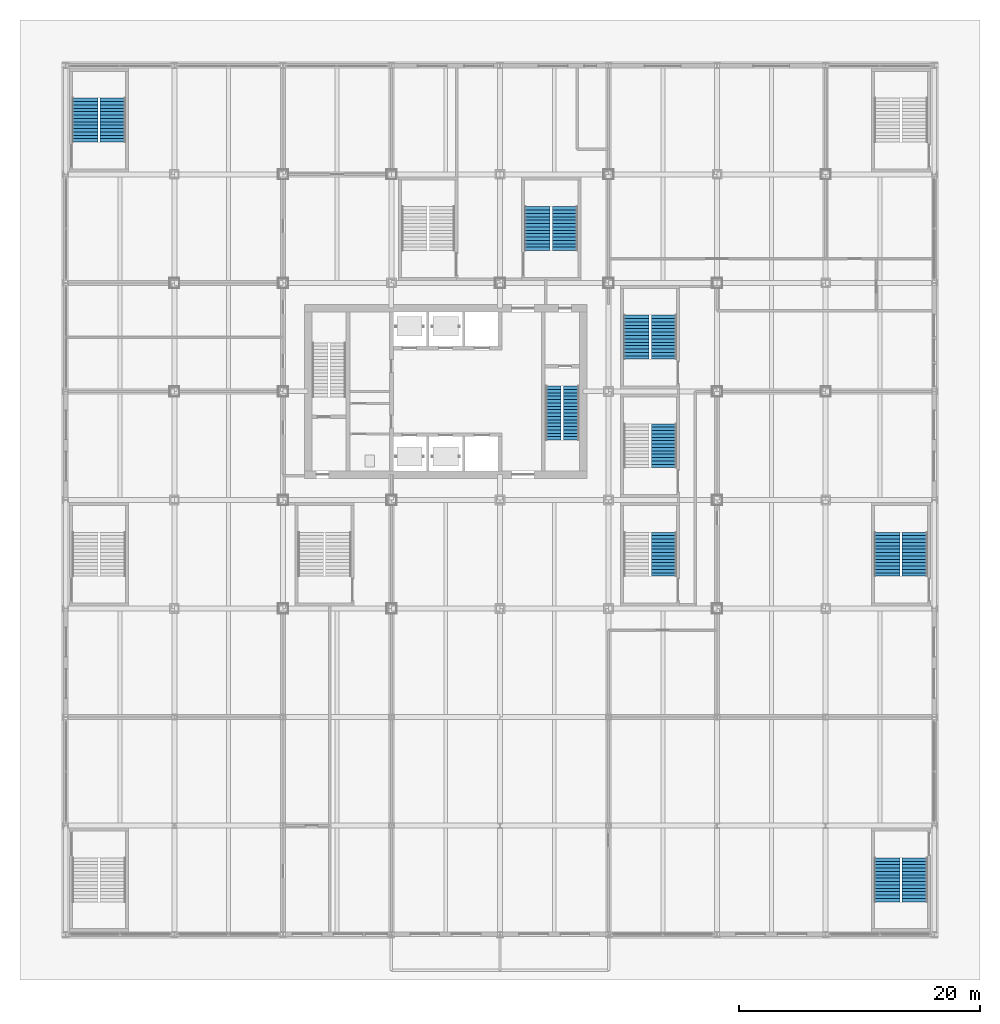
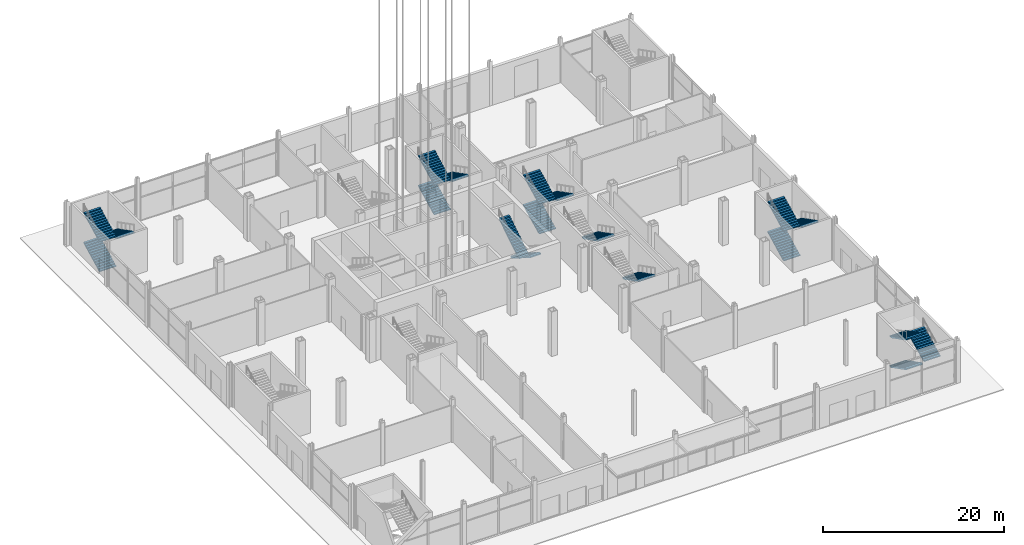
# One storey, part 24 of 34: 19 stair flights, 8 elements without a shape of their own.
"""IFC4 building model written with IfcOpenShell, lengths in metres."""

from ifc_helpers import new_model, si_unit, direction, frame, origin, place, context, subcontext, project, spatial, polyline, outline, extrude, material, type_object, element, aggregate, save


model = new_model("IFC4")

# Units and contexts
model_context = context("Model", 3, precision=1e-05, world=origin(), true_north=direction((0.0, 1.0)))
body_context = subcontext(model_context, "Body", "Model", "MODEL_VIEW")
ifc_project = project(units=[si_unit("LENGTHUNIT", "METRE"), si_unit("AREAUNIT", "SQUARE_METRE"), si_unit("VOLUMEUNIT", "CUBIC_METRE"), si_unit("PLANEANGLEUNIT", "RADIAN"), si_unit("MASSUNIT", "GRAM", prefix="KILO")], contexts=[model_context])

# Site, building, storey
site_placement = place(None, origin())
site = spatial("IfcSite", under=ifc_project, at=site_placement, CompositionType="ELEMENT")
building_placement = place(site_placement, origin())
building = spatial("IfcBuilding", under=site, at=building_placement, Name="Loomwork Tower", CompositionType="ELEMENT")
storey_placement = place(building_placement, origin())
storey = spatial("IfcBuildingStorey", under=building, at=storey_placement, Name="L00", CompositionType="ELEMENT", Elevation=0.0)

# Stair, stair flights
ifc_material_1 = material(Name="Concrete 5000 psi (34 MPa) precast stair", Category="concrete")
stair_type_1 = type_object("IfcStairType", Name="Stair ST-B 34 risers 2850 wide", PredefinedType="HALF_TURN_STAIR", material=ifc_material_1)
stair_1_placement = place(storey_placement, origin())
stair_1 = element("IfcStair", 1, at=stair_1_placement, inside=storey, type_object=stair_type_1, Name="Stair B L00", PredefinedType="HALF_TURN_STAIR")
ifc_material_2 = material(Name="Concrete 5000 psi (34 MPa) precast stair", Category="concrete")
stair_flight_type_1 = type_object("IfcStairFlightType", Name="Stair flight ST-B 17 risers 1300 wide", PredefinedType="STRAIGHT", material=ifc_material_2)
stair_flight_1_placement = place(storey_placement, frame((32.925048828125, 18.449951171875, 0.0), z_axis=(0.0, 0.0, 1.0), x_axis=(0.0, -1.0, 0.0)))
stair_flight_1 = element("IfcStairFlight", 2, at=stair_flight_1_placement, type_object=stair_flight_type_1, Name="ST-B flight 1", NumberOfRisers=17, NumberOfTreads=16, PredefinedType="STRAIGHT", RiserHeight=0.176470588, TreadLength=0.28, context=body_context, shape_type="SweptSolid", body=[
    extrude(outline(polyline([(0.0, 0.0), (0.0, 0.176513671875), (0.280029296875, 0.176513671875), (0.280029296875, 0.35302734375), (0.56005859375, 0.35302734375), (0.56005859375, 0.529296875), (0.840087890625, 0.529296875), (0.840087890625, 0.705810546875), (1.1201171875, 0.705810546875), (1.1201171875, 0.88232421875), (1.39990234375, 0.88232421875), (1.39990234375, 1.058837890625), (1.679931640625, 1.058837890625), (1.679931640625, 1.2353515625), (1.9599609375, 1.2353515625), (1.9599609375, 1.411865234375), (2.239990234375, 1.411865234375), (2.239990234375, 1.588134765625), (2.52001953125, 1.588134765625), (2.52001953125, 1.7646484375), (2.800048828125, 1.7646484375), (2.800048828125, 1.941162109375), (3.080078125, 1.941162109375), (3.080078125, 2.11767578125), (3.360107421875, 2.11767578125), (3.360107421875, 2.294189453125), (3.639892578125, 2.294189453125), (3.639892578125, 2.470703125), (3.919921875, 2.470703125), (3.919921875, 2.64697265625), (4.199951171875, 2.64697265625), (4.199951171875, 2.823486328125), (4.47998046875, 2.823486328125), (4.47998046875, 3.0), (4.47998046875, 2.646240234375), (0.28125, 0.0), (0.0, 0.0)])), frame((0.0, 0.64990234375, 0.0), z_axis=(0.0, -1.0, 0.0), x_axis=(1.0, 0.0, 0.0)), (0.0, 0.0, 1.0), 1.300048828125),
])
stair_flight_2_placement = place(storey_placement, frame((31.425048828125, 13.969970703125, 3.0), z_axis=(0.0, 0.0, 1.0), x_axis=(0.0, 1.0, 0.0)))
stair_flight_2 = element("IfcStairFlight", 3, at=stair_flight_2_placement, type_object=stair_flight_type_1, Name="ST-B flight 2", NumberOfRisers=17, NumberOfTreads=16, PredefinedType="STRAIGHT", RiserHeight=0.176470588, TreadLength=0.28, context=body_context, shape_type="SweptSolid", body=[
    extrude(outline(polyline([(0.0, 0.0), (0.0, 0.176513671875), (0.280029296875, 0.176513671875), (0.280029296875, 0.35302734375), (0.56005859375, 0.35302734375), (0.56005859375, 0.529296875), (0.840087890625, 0.529296875), (0.840087890625, 0.705810546875), (1.1201171875, 0.705810546875), (1.1201171875, 0.88232421875), (1.39990234375, 0.88232421875), (1.39990234375, 1.058837890625), (1.679931640625, 1.058837890625), (1.679931640625, 1.2353515625), (1.9599609375, 1.2353515625), (1.9599609375, 1.411865234375), (2.239990234375, 1.411865234375), (2.239990234375, 1.588134765625), (2.52001953125, 1.588134765625), (2.52001953125, 1.7646484375), (2.800048828125, 1.7646484375), (2.800048828125, 1.941162109375), (3.080078125, 1.941162109375), (3.080078125, 2.11767578125), (3.360107421875, 2.11767578125), (3.360107421875, 2.294189453125), (3.639892578125, 2.294189453125), (3.639892578125, 2.470703125), (3.919921875, 2.470703125), (3.919921875, 2.64697265625), (4.199951171875, 2.64697265625), (4.199951171875, 2.823486328125), (4.47998046875, 2.823486328125), (4.47998046875, 3.0), (4.47998046875, 2.646240234375), (0.28125, 0.0), (0.0, 0.0)])), frame((0.0, 0.64990234375, 0.0), z_axis=(0.0, -1.0, 0.0), x_axis=(1.0, 0.0, 0.0)), (0.0, 0.0, 1.0), 1.300048828125),
])
aggregate(stair_1, [stair_flight_1, stair_flight_2])

ifc_material_3 = material(Name="Concrete 5000 psi (34 MPa) precast stair", Category="concrete")
stair_type_2 = type_object("IfcStairType", Name="Stair ST-S11P 42 risers of 143 4400 wide", PredefinedType="HALF_TURN_STAIR", material=ifc_material_3)
stair_2_placement = place(storey_placement, origin())
stair_2 = element("IfcStair", 4, at=stair_2_placement, inside=storey, type_object=stair_type_2, Name="Podium stair PS11 L00", PredefinedType="HALF_TURN_STAIR")
ifc_material_4 = material(Name="Concrete 5000 psi (34 MPa) precast stair", Category="concrete")
stair_flight_type_2 = type_object("IfcStairFlightType", Name="Stair flight ST-S11P 14 risers of 143 2100 wide", PredefinedType="STRAIGHT", material=ifc_material_4)
stair_flight_3_placement = place(storey_placement, frame((30.10009765625, 29.679931640625, 0.0), z_axis=(0.0, 0.0, 1.0), x_axis=(0.0, 1.0, 0.0)))
stair_flight_3 = element("IfcStairFlight", 5, at=stair_flight_3_placement, type_object=stair_flight_type_2, Name="ST-S11P flight 1", NumberOfRisers=14, NumberOfTreads=13, PredefinedType="STRAIGHT", RiserHeight=0.142857143, TreadLength=0.28, context=body_context, shape_type="SweptSolid", body=[
    extrude(outline(polyline([(0.0, 0.0), (0.0, 0.142822265625), (0.280029296875, 0.142822265625), (0.280029296875, 0.28564453125), (0.56005859375, 0.28564453125), (0.56005859375, 0.428466796875), (0.840087890625, 0.428466796875), (0.840087890625, 0.571533203125), (1.1201171875, 0.571533203125), (1.1201171875, 0.71435546875), (1.39990234375, 0.71435546875), (1.39990234375, 0.857177734375), (1.679931640625, 0.857177734375), (1.679931640625, 1.0), (1.9599609375, 1.0), (1.9599609375, 1.142822265625), (2.239990234375, 1.142822265625), (2.239990234375, 1.28564453125), (2.52001953125, 1.28564453125), (2.52001953125, 1.428466796875), (2.800048828125, 1.428466796875), (2.800048828125, 1.571533203125), (3.080078125, 1.571533203125), (3.080078125, 1.71435546875), (3.360107421875, 1.71435546875), (3.360107421875, 1.857177734375), (3.639892578125, 1.857177734375), (3.639892578125, 2.0), (3.639892578125, 1.68896484375), (0.329833984375, 0.0), (0.0, 0.0)])), frame((0.0, 1.050048828125, 0.0), z_axis=(0.0, -1.0, 0.0), x_axis=(1.0, 0.0, 0.0)), (0.0, 0.0, 1.0), 2.10009765625),
])
stair_flight_4_placement = place(storey_placement, frame((32.39990234375, 33.320068359375, 2.0), z_axis=(0.0, 0.0, 1.0), x_axis=(0.0, -1.0, 0.0)))
stair_flight_4 = element("IfcStairFlight", 6, at=stair_flight_4_placement, type_object=stair_flight_type_2, Name="ST-S11P flight 2", NumberOfRisers=14, NumberOfTreads=13, PredefinedType="STRAIGHT", RiserHeight=0.142857143, TreadLength=0.28, context=body_context, shape_type="SweptSolid", body=[
    extrude(outline(polyline([(0.0, 0.0), (0.0, 0.142822265625), (0.280029296875, 0.142822265625), (0.280029296875, 0.28564453125), (0.56005859375, 0.28564453125), (0.56005859375, 0.428466796875), (0.840087890625, 0.428466796875), (0.840087890625, 0.571533203125), (1.1201171875, 0.571533203125), (1.1201171875, 0.71435546875), (1.39990234375, 0.71435546875), (1.39990234375, 0.857177734375), (1.679931640625, 0.857177734375), (1.679931640625, 1.0), (1.9599609375, 1.0), (1.9599609375, 1.142822265625), (2.239990234375, 1.142822265625), (2.239990234375, 1.28564453125), (2.52001953125, 1.28564453125), (2.52001953125, 1.428466796875), (2.800048828125, 1.428466796875), (2.800048828125, 1.571533203125), (3.080078125, 1.571533203125), (3.080078125, 1.71435546875), (3.360107421875, 1.71435546875), (3.360107421875, 1.857177734375), (3.639892578125, 1.857177734375), (3.639892578125, 2.0), (3.639892578125, 1.68896484375), (0.329833984375, 0.0), (0.0, 0.0)])), frame((0.0, 1.050048828125, 0.0), z_axis=(0.0, -1.0, 0.0), x_axis=(1.0, 0.0, 0.0)), (0.0, 0.0, 1.0), 2.10009765625),
])
stair_flight_5_placement = place(storey_placement, frame((30.10009765625, 29.679931640625, 4.0), z_axis=(0.0, 0.0, 1.0), x_axis=(0.0, 1.0, 0.0)))
stair_flight_5 = element("IfcStairFlight", 7, at=stair_flight_5_placement, type_object=stair_flight_type_2, Name="ST-S11P flight 3", NumberOfRisers=14, NumberOfTreads=13, PredefinedType="STRAIGHT", RiserHeight=0.142857143, TreadLength=0.28, context=body_context, shape_type="SweptSolid", body=[
    extrude(outline(polyline([(0.0, 0.0), (0.0, 0.142822265625), (0.280029296875, 0.142822265625), (0.280029296875, 0.28564453125), (0.56005859375, 0.28564453125), (0.56005859375, 0.428466796875), (0.840087890625, 0.428466796875), (0.840087890625, 0.571533203125), (1.1201171875, 0.571533203125), (1.1201171875, 0.71435546875), (1.39990234375, 0.71435546875), (1.39990234375, 0.857177734375), (1.679931640625, 0.857177734375), (1.679931640625, 1.0), (1.9599609375, 1.0), (1.9599609375, 1.142822265625), (2.239990234375, 1.142822265625), (2.239990234375, 1.28564453125), (2.52001953125, 1.28564453125), (2.52001953125, 1.428466796875), (2.800048828125, 1.428466796875), (2.800048828125, 1.571533203125), (3.080078125, 1.571533203125), (3.080078125, 1.71435546875), (3.360107421875, 1.71435546875), (3.360107421875, 1.857177734375), (3.639892578125, 1.857177734375), (3.639892578125, 2.0), (3.639892578125, 1.68896484375), (0.329833984375, 0.0), (0.0, 0.0)])), frame((0.0, 1.050048828125, 0.0), z_axis=(0.0, -1.0, 0.0), x_axis=(1.0, 0.0, 0.0)), (0.0, 0.0, 1.0), 2.10009765625),
])
aggregate(stair_2, [stair_flight_3, stair_flight_4, stair_flight_5])

ifc_material_5 = material(Name="Concrete 5000 psi (34 MPa) precast stair", Category="concrete")
stair_type_3 = type_object("IfcStairType", Name="Stair ST-S2P 42 risers of 143 4400 wide", PredefinedType="HALF_TURN_STAIR", material=ifc_material_5)
stair_3_placement = place(storey_placement, origin())
stair_3 = element("IfcStair", 8, at=stair_3_placement, inside=storey, type_object=stair_type_3, Name="Podium stair PS2 L00", PredefinedType="HALF_TURN_STAIR")
ifc_material_6 = material(Name="Concrete 5000 psi (34 MPa) precast stair", Category="concrete")
stair_flight_type_3 = type_object("IfcStairFlightType", Name="Stair flight ST-S2P 14 risers of 143 2100 wide", PredefinedType="STRAIGHT", material=ifc_material_6)
stair_flight_6_placement = place(storey_placement, frame((59.10009765625, -20.679931640625, 0.0), z_axis=(0.0, 0.0, 1.0), x_axis=(0.0, -1.0, 0.0)))
stair_flight_6 = element("IfcStairFlight", 9, at=stair_flight_6_placement, type_object=stair_flight_type_3, Name="ST-S2P flight 1", NumberOfRisers=14, NumberOfTreads=13, PredefinedType="STRAIGHT", RiserHeight=0.142857143, TreadLength=0.28, context=body_context, shape_type="SweptSolid", body=[
    extrude(outline(polyline([(0.0, 0.0), (0.0, 0.142822265625), (0.280029296875, 0.142822265625), (0.280029296875, 0.28564453125), (0.56005859375, 0.28564453125), (0.56005859375, 0.428466796875), (0.840087890625, 0.428466796875), (0.840087890625, 0.571533203125), (1.1201171875, 0.571533203125), (1.1201171875, 0.71435546875), (1.39990234375, 0.71435546875), (1.39990234375, 0.857177734375), (1.679931640625, 0.857177734375), (1.679931640625, 1.0), (1.9599609375, 1.0), (1.9599609375, 1.142822265625), (2.239990234375, 1.142822265625), (2.239990234375, 1.28564453125), (2.52001953125, 1.28564453125), (2.52001953125, 1.428466796875), (2.800048828125, 1.428466796875), (2.800048828125, 1.571533203125), (3.080078125, 1.571533203125), (3.080078125, 1.71435546875), (3.360107421875, 1.71435546875), (3.360107421875, 1.857177734375), (3.639892578125, 1.857177734375), (3.639892578125, 2.0), (3.639892578125, 1.68896484375), (0.329833984375, 0.0), (0.0, 0.0)])), frame((0.0, 1.050048828125, 0.0), z_axis=(0.0, -1.0, 0.0), x_axis=(1.0, 0.0, 0.0)), (0.0, 0.0, 1.0), 2.10009765625),
])
stair_flight_7_placement = place(storey_placement, frame((61.39990234375, -24.320068359375, 2.0), z_axis=(0.0, 0.0, 1.0), x_axis=(0.0, 1.0, 0.0)))
stair_flight_7 = element("IfcStairFlight", 10, at=stair_flight_7_placement, type_object=stair_flight_type_3, Name="ST-S2P flight 2", NumberOfRisers=14, NumberOfTreads=13, PredefinedType="STRAIGHT", RiserHeight=0.142857143, TreadLength=0.28, context=body_context, shape_type="SweptSolid", body=[
    extrude(outline(polyline([(0.0, 0.0), (0.0, 0.142822265625), (0.280029296875, 0.142822265625), (0.280029296875, 0.28564453125), (0.56005859375, 0.28564453125), (0.56005859375, 0.428466796875), (0.840087890625, 0.428466796875), (0.840087890625, 0.571533203125), (1.1201171875, 0.571533203125), (1.1201171875, 0.71435546875), (1.39990234375, 0.71435546875), (1.39990234375, 0.857177734375), (1.679931640625, 0.857177734375), (1.679931640625, 1.0), (1.9599609375, 1.0), (1.9599609375, 1.142822265625), (2.239990234375, 1.142822265625), (2.239990234375, 1.28564453125), (2.52001953125, 1.28564453125), (2.52001953125, 1.428466796875), (2.800048828125, 1.428466796875), (2.800048828125, 1.571533203125), (3.080078125, 1.571533203125), (3.080078125, 1.71435546875), (3.360107421875, 1.71435546875), (3.360107421875, 1.857177734375), (3.639892578125, 1.857177734375), (3.639892578125, 2.0), (3.639892578125, 1.68896484375), (0.329833984375, 0.0), (0.0, 0.0)])), frame((0.0, 1.050048828125, 0.0), z_axis=(0.0, -1.0, 0.0), x_axis=(1.0, 0.0, 0.0)), (0.0, 0.0, 1.0), 2.10009765625),
])
stair_flight_8_placement = place(storey_placement, frame((59.10009765625, -20.679931640625, 4.0), z_axis=(0.0, 0.0, 1.0), x_axis=(0.0, -1.0, 0.0)))
stair_flight_8 = element("IfcStairFlight", 11, at=stair_flight_8_placement, type_object=stair_flight_type_3, Name="ST-S2P flight 3", NumberOfRisers=14, NumberOfTreads=13, PredefinedType="STRAIGHT", RiserHeight=0.142857143, TreadLength=0.28, context=body_context, shape_type="SweptSolid", body=[
    extrude(outline(polyline([(0.0, 0.0), (0.0, 0.142822265625), (0.280029296875, 0.142822265625), (0.280029296875, 0.28564453125), (0.56005859375, 0.28564453125), (0.56005859375, 0.428466796875), (0.840087890625, 0.428466796875), (0.840087890625, 0.571533203125), (1.1201171875, 0.571533203125), (1.1201171875, 0.71435546875), (1.39990234375, 0.71435546875), (1.39990234375, 0.857177734375), (1.679931640625, 0.857177734375), (1.679931640625, 1.0), (1.9599609375, 1.0), (1.9599609375, 1.142822265625), (2.239990234375, 1.142822265625), (2.239990234375, 1.28564453125), (2.52001953125, 1.28564453125), (2.52001953125, 1.428466796875), (2.800048828125, 1.428466796875), (2.800048828125, 1.571533203125), (3.080078125, 1.571533203125), (3.080078125, 1.71435546875), (3.360107421875, 1.71435546875), (3.360107421875, 1.857177734375), (3.639892578125, 1.857177734375), (3.639892578125, 2.0), (3.639892578125, 1.68896484375), (0.329833984375, 0.0), (0.0, 0.0)])), frame((0.0, 1.050048828125, 0.0), z_axis=(0.0, -1.0, 0.0), x_axis=(1.0, 0.0, 0.0)), (0.0, 0.0, 1.0), 2.10009765625),
])
aggregate(stair_3, [stair_flight_6, stair_flight_7, stair_flight_8])

ifc_material_7 = material(Name="Concrete 5000 psi (34 MPa) precast stair", Category="concrete")
stair_type_4 = type_object("IfcStairType", Name="Stair ST-S3P 42 risers of 143 4400 wide", PredefinedType="HALF_TURN_STAIR", material=ifc_material_7)
stair_4_placement = place(storey_placement, origin())
stair_4 = element("IfcStair", 12, at=stair_4_placement, inside=storey, type_object=stair_type_4, Name="Podium stair PS3 L00", PredefinedType="HALF_TURN_STAIR")
ifc_material_8 = material(Name="Concrete 5000 psi (34 MPa) precast stair", Category="concrete")
stair_flight_type_4 = type_object("IfcStairFlightType", Name="Stair flight ST-S3P 14 risers of 143 2100 wide", PredefinedType="STRAIGHT", material=ifc_material_8)
stair_flight_9_placement = place(storey_placement, frame((-7.39990234375, 38.679931640625, 0.0), z_axis=(0.0, 0.0, 1.0), x_axis=(0.0, 1.0, 0.0)))
stair_flight_9 = element("IfcStairFlight", 13, at=stair_flight_9_placement, type_object=stair_flight_type_4, Name="ST-S3P flight 1", NumberOfRisers=14, NumberOfTreads=13, PredefinedType="STRAIGHT", RiserHeight=0.142857143, TreadLength=0.28, context=body_context, shape_type="SweptSolid", body=[
    extrude(outline(polyline([(0.0, 0.0), (0.0, 0.142822265625), (0.280029296875, 0.142822265625), (0.280029296875, 0.28564453125), (0.56005859375, 0.28564453125), (0.56005859375, 0.428466796875), (0.840087890625, 0.428466796875), (0.840087890625, 0.571533203125), (1.1201171875, 0.571533203125), (1.1201171875, 0.71435546875), (1.39990234375, 0.71435546875), (1.39990234375, 0.857177734375), (1.679931640625, 0.857177734375), (1.679931640625, 1.0), (1.9599609375, 1.0), (1.9599609375, 1.142822265625), (2.239990234375, 1.142822265625), (2.239990234375, 1.28564453125), (2.52001953125, 1.28564453125), (2.52001953125, 1.428466796875), (2.800048828125, 1.428466796875), (2.800048828125, 1.571533203125), (3.080078125, 1.571533203125), (3.080078125, 1.71435546875), (3.360107421875, 1.71435546875), (3.360107421875, 1.857177734375), (3.639892578125, 1.857177734375), (3.639892578125, 2.0), (3.639892578125, 1.68896484375), (0.329833984375, 0.0), (0.0, 0.0)])), frame((0.0, 1.050048828125, 0.0), z_axis=(0.0, -1.0, 0.0), x_axis=(1.0, 0.0, 0.0)), (0.0, 0.0, 1.0), 2.10009765625),
])
stair_flight_10_placement = place(storey_placement, frame((-5.10009765625, 42.320068359375, 2.0), z_axis=(0.0, 0.0, 1.0), x_axis=(0.0, -1.0, 0.0)))
stair_flight_10 = element("IfcStairFlight", 14, at=stair_flight_10_placement, type_object=stair_flight_type_4, Name="ST-S3P flight 2", NumberOfRisers=14, NumberOfTreads=13, PredefinedType="STRAIGHT", RiserHeight=0.142857143, TreadLength=0.28, context=body_context, shape_type="SweptSolid", body=[
    extrude(outline(polyline([(0.0, 0.0), (0.0, 0.142822265625), (0.280029296875, 0.142822265625), (0.280029296875, 0.28564453125), (0.56005859375, 0.28564453125), (0.56005859375, 0.428466796875), (0.840087890625, 0.428466796875), (0.840087890625, 0.571533203125), (1.1201171875, 0.571533203125), (1.1201171875, 0.71435546875), (1.39990234375, 0.71435546875), (1.39990234375, 0.857177734375), (1.679931640625, 0.857177734375), (1.679931640625, 1.0), (1.9599609375, 1.0), (1.9599609375, 1.142822265625), (2.239990234375, 1.142822265625), (2.239990234375, 1.28564453125), (2.52001953125, 1.28564453125), (2.52001953125, 1.428466796875), (2.800048828125, 1.428466796875), (2.800048828125, 1.571533203125), (3.080078125, 1.571533203125), (3.080078125, 1.71435546875), (3.360107421875, 1.71435546875), (3.360107421875, 1.857177734375), (3.639892578125, 1.857177734375), (3.639892578125, 2.0), (3.639892578125, 1.68896484375), (0.329833984375, 0.0), (0.0, 0.0)])), frame((0.0, 1.050048828125, 0.0), z_axis=(0.0, -1.0, 0.0), x_axis=(1.0, 0.0, 0.0)), (0.0, 0.0, 1.0), 2.10009765625),
])
stair_flight_11_placement = place(storey_placement, frame((-7.39990234375, 38.679931640625, 4.0), z_axis=(0.0, 0.0, 1.0), x_axis=(0.0, 1.0, 0.0)))
stair_flight_11 = element("IfcStairFlight", 15, at=stair_flight_11_placement, type_object=stair_flight_type_4, Name="ST-S3P flight 3", NumberOfRisers=14, NumberOfTreads=13, PredefinedType="STRAIGHT", RiserHeight=0.142857143, TreadLength=0.28, context=body_context, shape_type="SweptSolid", body=[
    extrude(outline(polyline([(0.0, 0.0), (0.0, 0.142822265625), (0.280029296875, 0.142822265625), (0.280029296875, 0.28564453125), (0.56005859375, 0.28564453125), (0.56005859375, 0.428466796875), (0.840087890625, 0.428466796875), (0.840087890625, 0.571533203125), (1.1201171875, 0.571533203125), (1.1201171875, 0.71435546875), (1.39990234375, 0.71435546875), (1.39990234375, 0.857177734375), (1.679931640625, 0.857177734375), (1.679931640625, 1.0), (1.9599609375, 1.0), (1.9599609375, 1.142822265625), (2.239990234375, 1.142822265625), (2.239990234375, 1.28564453125), (2.52001953125, 1.28564453125), (2.52001953125, 1.428466796875), (2.800048828125, 1.428466796875), (2.800048828125, 1.571533203125), (3.080078125, 1.571533203125), (3.080078125, 1.71435546875), (3.360107421875, 1.71435546875), (3.360107421875, 1.857177734375), (3.639892578125, 1.857177734375), (3.639892578125, 2.0), (3.639892578125, 1.68896484375), (0.329833984375, 0.0), (0.0, 0.0)])), frame((0.0, 1.050048828125, 0.0), z_axis=(0.0, -1.0, 0.0), x_axis=(1.0, 0.0, 0.0)), (0.0, 0.0, 1.0), 2.10009765625),
])
aggregate(stair_4, [stair_flight_9, stair_flight_10, stair_flight_11])

ifc_material_9 = material(Name="Concrete 5000 psi (34 MPa) precast stair", Category="concrete")
stair_type_5 = type_object("IfcStairType", Name="Stair ST-S6P 42 risers of 143 4400 wide", PredefinedType="HALF_TURN_STAIR", material=ifc_material_9)
stair_5_placement = place(storey_placement, origin())
stair_5 = element("IfcStair", 16, at=stair_5_placement, inside=storey, type_object=stair_type_5, Name="Podium stair PS6 L00", PredefinedType="HALF_TURN_STAIR")
ifc_material_10 = material(Name="Concrete 5000 psi (34 MPa) precast stair", Category="concrete")
stair_flight_type_5 = type_object("IfcStairFlightType", Name="Stair flight ST-S6P 14 risers of 143 2100 wide", PredefinedType="STRAIGHT", material=ifc_material_10)
stair_flight_12_placement = place(storey_placement, frame((59.10009765625, 2.679931640625, 0.0), z_axis=(0.0, 0.0, 1.0), x_axis=(0.0, 1.0, 0.0)))
stair_flight_12 = element("IfcStairFlight", 17, at=stair_flight_12_placement, type_object=stair_flight_type_5, Name="ST-S6P flight 1", NumberOfRisers=14, NumberOfTreads=13, PredefinedType="STRAIGHT", RiserHeight=0.142857143, TreadLength=0.28, context=body_context, shape_type="SweptSolid", body=[
    extrude(outline(polyline([(0.0, 0.0), (0.0, 0.142822265625), (0.280029296875, 0.142822265625), (0.280029296875, 0.28564453125), (0.56005859375, 0.28564453125), (0.56005859375, 0.428466796875), (0.840087890625, 0.428466796875), (0.840087890625, 0.571533203125), (1.1201171875, 0.571533203125), (1.1201171875, 0.71435546875), (1.39990234375, 0.71435546875), (1.39990234375, 0.857177734375), (1.679931640625, 0.857177734375), (1.679931640625, 1.0), (1.9599609375, 1.0), (1.9599609375, 1.142822265625), (2.239990234375, 1.142822265625), (2.239990234375, 1.28564453125), (2.52001953125, 1.28564453125), (2.52001953125, 1.428466796875), (2.800048828125, 1.428466796875), (2.800048828125, 1.571533203125), (3.080078125, 1.571533203125), (3.080078125, 1.71435546875), (3.360107421875, 1.71435546875), (3.360107421875, 1.857177734375), (3.639892578125, 1.857177734375), (3.639892578125, 2.0), (3.639892578125, 1.68896484375), (0.329833984375, 0.0), (0.0, 0.0)])), frame((0.0, 1.050048828125, 0.0), z_axis=(0.0, -1.0, 0.0), x_axis=(1.0, 0.0, 0.0)), (0.0, 0.0, 1.0), 2.10009765625),
])
stair_flight_13_placement = place(storey_placement, frame((61.39990234375, 6.320068359375, 2.0), z_axis=(0.0, 0.0, 1.0), x_axis=(0.0, -1.0, 0.0)))
stair_flight_13 = element("IfcStairFlight", 18, at=stair_flight_13_placement, type_object=stair_flight_type_5, Name="ST-S6P flight 2", NumberOfRisers=14, NumberOfTreads=13, PredefinedType="STRAIGHT", RiserHeight=0.142857143, TreadLength=0.28, context=body_context, shape_type="SweptSolid", body=[
    extrude(outline(polyline([(0.0, 0.0), (0.0, 0.142822265625), (0.280029296875, 0.142822265625), (0.280029296875, 0.28564453125), (0.56005859375, 0.28564453125), (0.56005859375, 0.428466796875), (0.840087890625, 0.428466796875), (0.840087890625, 0.571533203125), (1.1201171875, 0.571533203125), (1.1201171875, 0.71435546875), (1.39990234375, 0.71435546875), (1.39990234375, 0.857177734375), (1.679931640625, 0.857177734375), (1.679931640625, 1.0), (1.9599609375, 1.0), (1.9599609375, 1.142822265625), (2.239990234375, 1.142822265625), (2.239990234375, 1.28564453125), (2.52001953125, 1.28564453125), (2.52001953125, 1.428466796875), (2.800048828125, 1.428466796875), (2.800048828125, 1.571533203125), (3.080078125, 1.571533203125), (3.080078125, 1.71435546875), (3.360107421875, 1.71435546875), (3.360107421875, 1.857177734375), (3.639892578125, 1.857177734375), (3.639892578125, 2.0), (3.639892578125, 1.68896484375), (0.329833984375, 0.0), (0.0, 0.0)])), frame((0.0, 1.050048828125, 0.0), z_axis=(0.0, -1.0, 0.0), x_axis=(1.0, 0.0, 0.0)), (0.0, 0.0, 1.0), 2.10009765625),
])
stair_flight_14_placement = place(storey_placement, frame((59.10009765625, 2.679931640625, 4.0), z_axis=(0.0, 0.0, 1.0), x_axis=(0.0, 1.0, 0.0)))
stair_flight_14 = element("IfcStairFlight", 19, at=stair_flight_14_placement, type_object=stair_flight_type_5, Name="ST-S6P flight 3", NumberOfRisers=14, NumberOfTreads=13, PredefinedType="STRAIGHT", RiserHeight=0.142857143, TreadLength=0.28, context=body_context, shape_type="SweptSolid", body=[
    extrude(outline(polyline([(0.0, 0.0), (0.0, 0.142822265625), (0.280029296875, 0.142822265625), (0.280029296875, 0.28564453125), (0.56005859375, 0.28564453125), (0.56005859375, 0.428466796875), (0.840087890625, 0.428466796875), (0.840087890625, 0.571533203125), (1.1201171875, 0.571533203125), (1.1201171875, 0.71435546875), (1.39990234375, 0.71435546875), (1.39990234375, 0.857177734375), (1.679931640625, 0.857177734375), (1.679931640625, 1.0), (1.9599609375, 1.0), (1.9599609375, 1.142822265625), (2.239990234375, 1.142822265625), (2.239990234375, 1.28564453125), (2.52001953125, 1.28564453125), (2.52001953125, 1.428466796875), (2.800048828125, 1.428466796875), (2.800048828125, 1.571533203125), (3.080078125, 1.571533203125), (3.080078125, 1.71435546875), (3.360107421875, 1.71435546875), (3.360107421875, 1.857177734375), (3.639892578125, 1.857177734375), (3.639892578125, 2.0), (3.639892578125, 1.68896484375), (0.329833984375, 0.0), (0.0, 0.0)])), frame((0.0, 1.050048828125, 0.0), z_axis=(0.0, -1.0, 0.0), x_axis=(1.0, 0.0, 0.0)), (0.0, 0.0, 1.0), 2.10009765625),
])
aggregate(stair_5, [stair_flight_12, stair_flight_13, stair_flight_14])

# Stair, stair flight
ifc_material_11 = material(Name="Concrete 5000 psi (34 MPa) precast stair", Category="concrete")
stair_type_6 = type_object("IfcStairType", Name="Stair ST-S7P 42 risers of 143 4400 wide", PredefinedType="HALF_TURN_STAIR", material=ifc_material_11)
stair_6_placement = place(storey_placement, origin())
stair_6 = element("IfcStair", 20, at=stair_6_placement, inside=storey, type_object=stair_type_6, Name="Podium stair PS7 L00", PredefinedType="HALF_TURN_STAIR")
ifc_material_12 = material(Name="Concrete 5000 psi (34 MPa) precast stair", Category="concrete")
stair_flight_type_6 = type_object("IfcStairFlightType", Name="Stair flight ST-S7P 14 risers of 143 2100 wide", PredefinedType="STRAIGHT", material=ifc_material_12)
stair_flight_15_placement = place(storey_placement, frame((40.60009765625, 6.320068359375, 2.0), z_axis=(0.0, 0.0, 1.0), x_axis=(0.0, -1.0, 0.0)))
stair_flight_15 = element("IfcStairFlight", 21, at=stair_flight_15_placement, type_object=stair_flight_type_6, Name="ST-S7P flight 2", NumberOfRisers=14, NumberOfTreads=13, PredefinedType="STRAIGHT", RiserHeight=0.142857143, TreadLength=0.28, context=body_context, shape_type="SweptSolid", body=[
    extrude(outline(polyline([(0.0, 0.0), (0.0, 0.142822265625), (0.280029296875, 0.142822265625), (0.280029296875, 0.28564453125), (0.56005859375, 0.28564453125), (0.56005859375, 0.428466796875), (0.840087890625, 0.428466796875), (0.840087890625, 0.571533203125), (1.1201171875, 0.571533203125), (1.1201171875, 0.71435546875), (1.39990234375, 0.71435546875), (1.39990234375, 0.857177734375), (1.679931640625, 0.857177734375), (1.679931640625, 1.0), (1.9599609375, 1.0), (1.9599609375, 1.142822265625), (2.239990234375, 1.142822265625), (2.239990234375, 1.28564453125), (2.52001953125, 1.28564453125), (2.52001953125, 1.428466796875), (2.800048828125, 1.428466796875), (2.800048828125, 1.571533203125), (3.080078125, 1.571533203125), (3.080078125, 1.71435546875), (3.360107421875, 1.71435546875), (3.360107421875, 1.857177734375), (3.639892578125, 1.857177734375), (3.639892578125, 2.0), (3.639892578125, 1.68896484375), (0.329833984375, 0.0), (0.0, 0.0)])), frame((0.0, 1.050048828125, 0.0), z_axis=(0.0, -1.0, 0.0), x_axis=(1.0, 0.0, 0.0)), (0.0, 0.0, 1.0), 2.10009765625),
])
aggregate(stair_6, [stair_flight_15])

ifc_material_13 = material(Name="Concrete 5000 psi (34 MPa) precast stair", Category="concrete")
stair_type_7 = type_object("IfcStairType", Name="Stair ST-S8P 42 risers of 143 4400 wide", PredefinedType="HALF_TURN_STAIR", material=ifc_material_13)
stair_7_placement = place(storey_placement, origin())
stair_7 = element("IfcStair", 22, at=stair_7_placement, inside=storey, type_object=stair_type_7, Name="Podium stair PS8 L00", PredefinedType="HALF_TURN_STAIR")
ifc_material_14 = material(Name="Concrete 5000 psi (34 MPa) precast stair", Category="concrete")
stair_flight_type_7 = type_object("IfcStairFlightType", Name="Stair flight ST-S8P 14 risers of 143 2100 wide", PredefinedType="STRAIGHT", material=ifc_material_14)
stair_flight_16_placement = place(storey_placement, frame((40.60009765625, 15.320068359375, 2.0), z_axis=(0.0, 0.0, 1.0), x_axis=(0.0, -1.0, 0.0)))
stair_flight_16 = element("IfcStairFlight", 23, at=stair_flight_16_placement, type_object=stair_flight_type_7, Name="ST-S8P flight 2", NumberOfRisers=14, NumberOfTreads=13, PredefinedType="STRAIGHT", RiserHeight=0.142857143, TreadLength=0.28, context=body_context, shape_type="SweptSolid", body=[
    extrude(outline(polyline([(0.0, 0.0), (0.0, 0.142822265625), (0.280029296875, 0.142822265625), (0.280029296875, 0.28564453125), (0.56005859375, 0.28564453125), (0.56005859375, 0.428466796875), (0.840087890625, 0.428466796875), (0.840087890625, 0.571533203125), (1.1201171875, 0.571533203125), (1.1201171875, 0.71435546875), (1.39990234375, 0.71435546875), (1.39990234375, 0.857177734375), (1.679931640625, 0.857177734375), (1.679931640625, 1.0), (1.9599609375, 1.0), (1.9599609375, 1.142822265625), (2.239990234375, 1.142822265625), (2.239990234375, 1.28564453125), (2.52001953125, 1.28564453125), (2.52001953125, 1.428466796875), (2.800048828125, 1.428466796875), (2.800048828125, 1.571533203125), (3.080078125, 1.571533203125), (3.080078125, 1.71435546875), (3.360107421875, 1.71435546875), (3.360107421875, 1.857177734375), (3.639892578125, 1.857177734375), (3.639892578125, 2.0), (3.639892578125, 1.68896484375), (0.329833984375, 0.0), (0.0, 0.0)])), frame((0.0, 1.050048828125, 0.0), z_axis=(0.0, -1.0, 0.0), x_axis=(1.0, 0.0, 0.0)), (0.0, 0.0, 1.0), 2.10009765625),
])
aggregate(stair_7, [stair_flight_16])

# Stair, stair flights
ifc_material_15 = material(Name="Concrete 5000 psi (34 MPa) precast stair", Category="concrete")
stair_type_8 = type_object("IfcStairType", Name="Stair ST-S9P 42 risers of 143 4400 wide", PredefinedType="HALF_TURN_STAIR", material=ifc_material_15)
stair_8_placement = place(storey_placement, origin())
stair_8 = element("IfcStair", 24, at=stair_8_placement, inside=storey, type_object=stair_type_8, Name="Podium stair PS9 L00", PredefinedType="HALF_TURN_STAIR")
ifc_material_16 = material(Name="Concrete 5000 psi (34 MPa) precast stair", Category="concrete")
stair_flight_type_8 = type_object("IfcStairFlightType", Name="Stair flight ST-S9P 14 risers of 143 2100 wide", PredefinedType="STRAIGHT", material=ifc_material_16)
stair_flight_17_placement = place(storey_placement, frame((38.300048828125, 20.679931640625, 0.0), z_axis=(0.0, 0.0, 1.0), x_axis=(0.0, 1.0, 0.0)))
stair_flight_17 = element("IfcStairFlight", 25, at=stair_flight_17_placement, type_object=stair_flight_type_8, Name="ST-S9P flight 1", NumberOfRisers=14, NumberOfTreads=13, PredefinedType="STRAIGHT", RiserHeight=0.142857143, TreadLength=0.28, context=body_context, shape_type="SweptSolid", body=[
    extrude(outline(polyline([(0.0, 0.0), (0.0, 0.142822265625), (0.280029296875, 0.142822265625), (0.280029296875, 0.28564453125), (0.56005859375, 0.28564453125), (0.56005859375, 0.428466796875), (0.840087890625, 0.428466796875), (0.840087890625, 0.571533203125), (1.1201171875, 0.571533203125), (1.1201171875, 0.71435546875), (1.39990234375, 0.71435546875), (1.39990234375, 0.857177734375), (1.679931640625, 0.857177734375), (1.679931640625, 1.0), (1.9599609375, 1.0), (1.9599609375, 1.142822265625), (2.239990234375, 1.142822265625), (2.239990234375, 1.28564453125), (2.52001953125, 1.28564453125), (2.52001953125, 1.428466796875), (2.800048828125, 1.428466796875), (2.800048828125, 1.571533203125), (3.080078125, 1.571533203125), (3.080078125, 1.71435546875), (3.360107421875, 1.71435546875), (3.360107421875, 1.857177734375), (3.639892578125, 1.857177734375), (3.639892578125, 2.0), (3.639892578125, 1.68896484375), (0.329833984375, 0.0), (0.0, 0.0)])), frame((0.0, 1.050048828125, 0.0), z_axis=(0.0, -1.0, 0.0), x_axis=(1.0, 0.0, 0.0)), (0.0, 0.0, 1.0), 2.10009765625),
])
stair_flight_18_placement = place(storey_placement, frame((40.60009765625, 24.320068359375, 2.0), z_axis=(0.0, 0.0, 1.0), x_axis=(0.0, -1.0, 0.0)))
stair_flight_18 = element("IfcStairFlight", 26, at=stair_flight_18_placement, type_object=stair_flight_type_8, Name="ST-S9P flight 2", NumberOfRisers=14, NumberOfTreads=13, PredefinedType="STRAIGHT", RiserHeight=0.142857143, TreadLength=0.28, context=body_context, shape_type="SweptSolid", body=[
    extrude(outline(polyline([(0.0, 0.0), (0.0, 0.142822265625), (0.280029296875, 0.142822265625), (0.280029296875, 0.28564453125), (0.56005859375, 0.28564453125), (0.56005859375, 0.428466796875), (0.840087890625, 0.428466796875), (0.840087890625, 0.571533203125), (1.1201171875, 0.571533203125), (1.1201171875, 0.71435546875), (1.39990234375, 0.71435546875), (1.39990234375, 0.857177734375), (1.679931640625, 0.857177734375), (1.679931640625, 1.0), (1.9599609375, 1.0), (1.9599609375, 1.142822265625), (2.239990234375, 1.142822265625), (2.239990234375, 1.28564453125), (2.52001953125, 1.28564453125), (2.52001953125, 1.428466796875), (2.800048828125, 1.428466796875), (2.800048828125, 1.571533203125), (3.080078125, 1.571533203125), (3.080078125, 1.71435546875), (3.360107421875, 1.71435546875), (3.360107421875, 1.857177734375), (3.639892578125, 1.857177734375), (3.639892578125, 2.0), (3.639892578125, 1.68896484375), (0.329833984375, 0.0), (0.0, 0.0)])), frame((0.0, 1.050048828125, 0.0), z_axis=(0.0, -1.0, 0.0), x_axis=(1.0, 0.0, 0.0)), (0.0, 0.0, 1.0), 2.10009765625),
])
stair_flight_19_placement = place(storey_placement, frame((38.300048828125, 20.679931640625, 4.0), z_axis=(0.0, 0.0, 1.0), x_axis=(0.0, 1.0, 0.0)))
stair_flight_19 = element("IfcStairFlight", 27, at=stair_flight_19_placement, type_object=stair_flight_type_8, Name="ST-S9P flight 3", NumberOfRisers=14, NumberOfTreads=13, PredefinedType="STRAIGHT", RiserHeight=0.142857143, TreadLength=0.28, context=body_context, shape_type="SweptSolid", body=[
    extrude(outline(polyline([(0.0, 0.0), (0.0, 0.142822265625), (0.280029296875, 0.142822265625), (0.280029296875, 0.28564453125), (0.56005859375, 0.28564453125), (0.56005859375, 0.428466796875), (0.840087890625, 0.428466796875), (0.840087890625, 0.571533203125), (1.1201171875, 0.571533203125), (1.1201171875, 0.71435546875), (1.39990234375, 0.71435546875), (1.39990234375, 0.857177734375), (1.679931640625, 0.857177734375), (1.679931640625, 1.0), (1.9599609375, 1.0), (1.9599609375, 1.142822265625), (2.239990234375, 1.142822265625), (2.239990234375, 1.28564453125), (2.52001953125, 1.28564453125), (2.52001953125, 1.428466796875), (2.800048828125, 1.428466796875), (2.800048828125, 1.571533203125), (3.080078125, 1.571533203125), (3.080078125, 1.71435546875), (3.360107421875, 1.71435546875), (3.360107421875, 1.857177734375), (3.639892578125, 1.857177734375), (3.639892578125, 2.0), (3.639892578125, 1.68896484375), (0.329833984375, 0.0), (0.0, 0.0)])), frame((0.0, 1.050048828125, 0.0), z_axis=(0.0, -1.0, 0.0), x_axis=(1.0, 0.0, 0.0)), (0.0, 0.0, 1.0), 2.10009765625),
])
aggregate(stair_8, [stair_flight_17, stair_flight_18, stair_flight_19])

save(model, "model.ifc")
